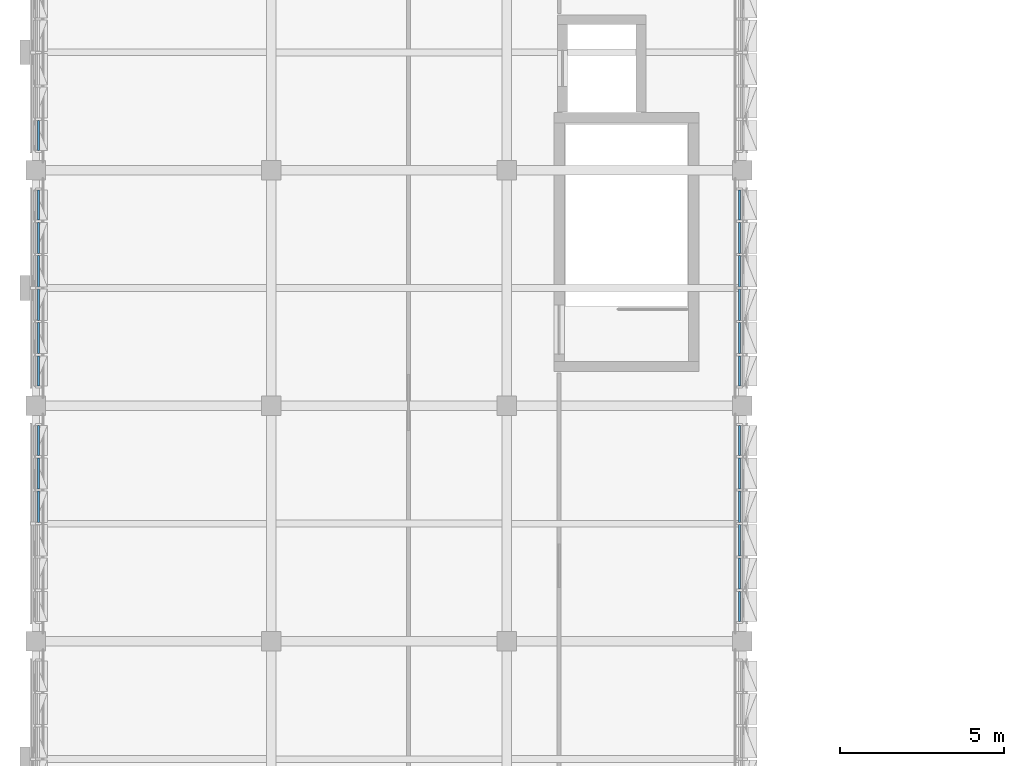
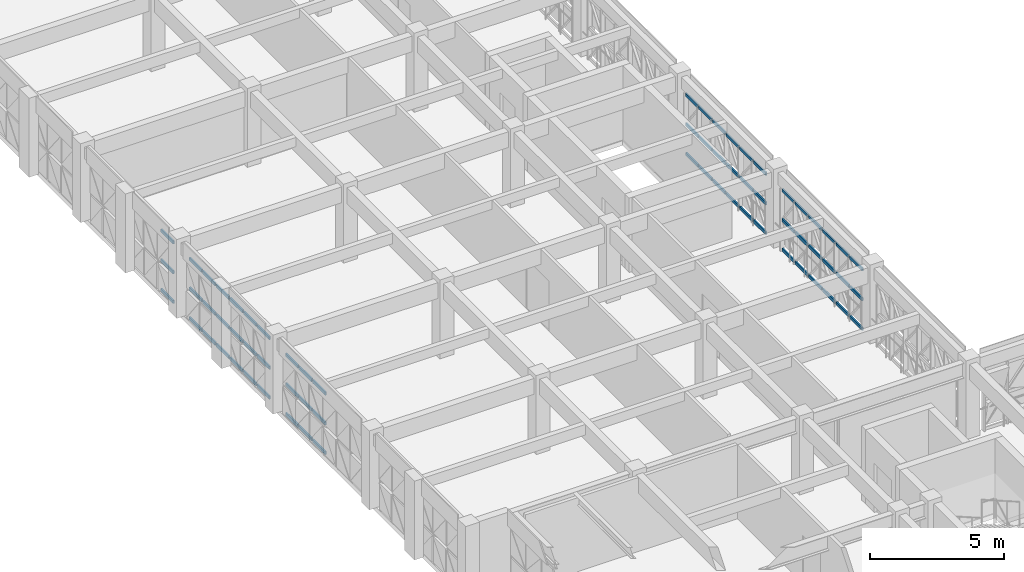
# One storey, part 21 of 74: 66 members, 5 elements without a shape of their own.
"""IFC4 building model written with IfcOpenShell, lengths in metres."""

from ifc_helpers import new_model, si_unit, direction, frame, origin, origin_2d, place, context, subcontext, project, spatial, rectangle, extrude, material, material_profile, profile_set, type_object, element, aggregate, save


model = new_model("IFC4")

# Units and contexts
model_context = context("Model", 3, precision=1e-05, world=origin(), true_north=direction((0.0, 1.0)))
body_context = subcontext(model_context, "Body", "Model", "MODEL_VIEW")
ifc_project = project(units=[si_unit("LENGTHUNIT", "METRE"), si_unit("AREAUNIT", "SQUARE_METRE"), si_unit("VOLUMEUNIT", "CUBIC_METRE"), si_unit("PLANEANGLEUNIT", "RADIAN"), si_unit("MASSUNIT", "GRAM", prefix="KILO")], contexts=[model_context])

# Site, building, storey
site_placement = place(None, origin())
site = spatial("IfcSite", under=ifc_project, at=site_placement, CompositionType="ELEMENT")
building_placement = place(site_placement, origin())
building = spatial("IfcBuilding", under=site, at=building_placement, Name="Alvorim Cloister Faculty of Sciences", CompositionType="ELEMENT")
storey_placement = place(building_placement, frame((0.0, 0.0, 15.75)))
storey = spatial("IfcBuildingStorey", under=building, at=storey_placement, Name="L04", CompositionType="ELEMENT", Elevation=15.75)

# Curtain wall, members
ifc_material_1 = material(Name="Aluminium and Low-E Glass Curtain Wall", Category="aluminium")
curtain_wall_type = type_object("IfcCurtainWallType", Name="CW-TRI-6120x2850", PredefinedType="USERDEFINED", material=ifc_material_1)
curtain_wall_1_placement = place(storey_placement, origin())
curtain_wall_1 = element("IfcCurtainWall", 1, at=curtain_wall_1_placement, inside=storey, type_object=curtain_wall_type, Name="L04 Diagonal Cassette Curtain Wall CW-0171", ObjectType="UNITISED CURTAIN WALL", PredefinedType="USERDEFINED")
ifc_material_2 = material(Name="Aluminium Alloy 6063-T6", Category="aluminium")
ifc_material_profile = material_profile(ifc_material_2, rectangle(XDim=0.06494140625, YDim=0.139892578125, at=origin_2d()), Name="ALU-TRN-65x140")
ifc_profile_set = profile_set([ifc_material_profile], Name="Aluminium Alloy 6063-T6")
member_type = type_object("IfcMemberType", Name="CW-TRN-65x140", PredefinedType="USERDEFINED", material=ifc_profile_set)
member_1_placement = place(storey_placement, frame((0.090087890625, 67.232421875, 0.070068359375), z_axis=(0.0, 1.0, 0.0), x_axis=(-1.0, 0.0, 0.0)))
member_1 = element("IfcMember", 2, at=member_1_placement, type_object=member_type, Name="CW-0171 Transom 4.1", ObjectType="TRANSOM", PredefinedType="USERDEFINED", context=body_context, shape_type="SweptSolid", body=[
    extrude(rectangle(XDim=0.06494140625, YDim=0.139892578125, at=origin_2d()), origin(), (0.0, 0.0, 1.0), 0.955078125),
])
member_2_placement = place(storey_placement, frame((0.090087890625, 67.232421875, 1.425048828125), z_axis=(0.0, 1.0, 0.0), x_axis=(-1.0, 0.0, 0.0)))
member_2 = element("IfcMember", 3, at=member_2_placement, type_object=member_type, Name="CW-0171 Transom 4.2", ObjectType="TRANSOM", PredefinedType="USERDEFINED", context=body_context, shape_type="SweptSolid", body=[
    extrude(rectangle(XDim=0.06494140625, YDim=0.139892578125, at=origin_2d()), origin(), (0.0, 0.0, 1.0), 0.955078125),
])
member_3_placement = place(storey_placement, frame((0.090087890625, 67.232421875, 2.780029296875), z_axis=(0.0, 1.0, 0.0), x_axis=(-1.0, 0.0, 0.0)))
member_3 = element("IfcMember", 4, at=member_3_placement, type_object=member_type, Name="CW-0171 Transom 4.3", ObjectType="TRANSOM", PredefinedType="USERDEFINED", context=body_context, shape_type="SweptSolid", body=[
    extrude(rectangle(XDim=0.06494140625, YDim=0.139892578125, at=origin_2d()), origin(), (0.0, 0.0, 1.0), 0.955078125),
])
member_4_placement = place(storey_placement, frame((0.090087890625, 68.25244140625, 0.070068359375), z_axis=(0.0, 1.0, 0.0), x_axis=(-1.0, 0.0, 0.0)))
member_4 = element("IfcMember", 5, at=member_4_placement, type_object=member_type, Name="CW-0171 Transom 5.1", ObjectType="TRANSOM", PredefinedType="USERDEFINED", context=body_context, shape_type="SweptSolid", body=[
    extrude(rectangle(XDim=0.06494140625, YDim=0.139892578125, at=origin_2d()), origin(), (0.0, 0.0, 1.0), 0.955078125),
])
member_5_placement = place(storey_placement, frame((0.090087890625, 68.25244140625, 1.425048828125), z_axis=(0.0, 1.0, 0.0), x_axis=(-1.0, 0.0, 0.0)))
member_5 = element("IfcMember", 6, at=member_5_placement, type_object=member_type, Name="CW-0171 Transom 5.2", ObjectType="TRANSOM", PredefinedType="USERDEFINED", context=body_context, shape_type="SweptSolid", body=[
    extrude(rectangle(XDim=0.06494140625, YDim=0.139892578125, at=origin_2d()), origin(), (0.0, 0.0, 1.0), 0.955078125),
])
member_6_placement = place(storey_placement, frame((0.090087890625, 68.25244140625, 2.780029296875), z_axis=(0.0, 1.0, 0.0), x_axis=(-1.0, 0.0, 0.0)))
member_6 = element("IfcMember", 7, at=member_6_placement, type_object=member_type, Name="CW-0171 Transom 5.3", ObjectType="TRANSOM", PredefinedType="USERDEFINED", context=body_context, shape_type="SweptSolid", body=[
    extrude(rectangle(XDim=0.06494140625, YDim=0.139892578125, at=origin_2d()), origin(), (0.0, 0.0, 1.0), 0.955078125),
])
member_7_placement = place(storey_placement, frame((0.090087890625, 69.2724609375, 0.070068359375), z_axis=(0.0, 1.0, 0.0), x_axis=(-1.0, 0.0, 0.0)))
member_7 = element("IfcMember", 8, at=member_7_placement, type_object=member_type, Name="CW-0171 Transom 6.1", ObjectType="TRANSOM", PredefinedType="USERDEFINED", context=body_context, shape_type="SweptSolid", body=[
    extrude(rectangle(XDim=0.06494140625, YDim=0.139892578125, at=origin_2d()), origin(), (0.0, 0.0, 1.0), 0.922607421875),
])
member_8_placement = place(storey_placement, frame((0.090087890625, 69.2724609375, 1.425048828125), z_axis=(0.0, 1.0, 0.0), x_axis=(-1.0, 0.0, 0.0)))
member_8 = element("IfcMember", 9, at=member_8_placement, type_object=member_type, Name="CW-0171 Transom 6.2", ObjectType="TRANSOM", PredefinedType="USERDEFINED", context=body_context, shape_type="SweptSolid", body=[
    extrude(rectangle(XDim=0.06494140625, YDim=0.139892578125, at=origin_2d()), origin(), (0.0, 0.0, 1.0), 0.922607421875),
])
member_9_placement = place(storey_placement, frame((0.090087890625, 69.2724609375, 2.780029296875), z_axis=(0.0, 1.0, 0.0), x_axis=(-1.0, 0.0, 0.0)))
member_9 = element("IfcMember", 10, at=member_9_placement, type_object=member_type, Name="CW-0171 Transom 6.3", ObjectType="TRANSOM", PredefinedType="USERDEFINED", context=body_context, shape_type="SweptSolid", body=[
    extrude(rectangle(XDim=0.06494140625, YDim=0.139892578125, at=origin_2d()), origin(), (0.0, 0.0, 1.0), 0.922607421875),
])
aggregate(curtain_wall_1, [member_1, member_2, member_3, member_4, member_5, member_6, member_7, member_8, member_9])

curtain_wall_2_placement = place(storey_placement, origin())
curtain_wall_2 = element("IfcCurtainWall", 11, at=curtain_wall_2_placement, inside=storey, type_object=curtain_wall_type, Name="L04 Diagonal Cassette Curtain Wall CW-0172", ObjectType="UNITISED CURTAIN WALL", PredefinedType="USERDEFINED")
member_10_placement = place(storey_placement, frame((0.090087890625, 71.405029296875, 0.070068359375), z_axis=(0.0, 1.0, 0.0), x_axis=(-1.0, 0.0, 0.0)))
member_10 = element("IfcMember", 12, at=member_10_placement, type_object=member_type, Name="CW-0172 Transom 1.1", ObjectType="TRANSOM", PredefinedType="USERDEFINED", context=body_context, shape_type="SweptSolid", body=[
    extrude(rectangle(XDim=0.06494140625, YDim=0.139892578125, at=origin_2d()), origin(), (0.0, 0.0, 1.0), 0.92236328125),
])
member_11_placement = place(storey_placement, frame((0.090087890625, 71.405029296875, 1.425048828125), z_axis=(0.0, 1.0, 0.0), x_axis=(-1.0, 0.0, 0.0)))
member_11 = element("IfcMember", 13, at=member_11_placement, type_object=member_type, Name="CW-0172 Transom 1.2", ObjectType="TRANSOM", PredefinedType="USERDEFINED", context=body_context, shape_type="SweptSolid", body=[
    extrude(rectangle(XDim=0.06494140625, YDim=0.139892578125, at=origin_2d()), origin(), (0.0, 0.0, 1.0), 0.92236328125),
])
member_12_placement = place(storey_placement, frame((0.090087890625, 71.405029296875, 2.780029296875), z_axis=(0.0, 1.0, 0.0), x_axis=(-1.0, 0.0, 0.0)))
member_12 = element("IfcMember", 14, at=member_12_placement, type_object=member_type, Name="CW-0172 Transom 1.3", ObjectType="TRANSOM", PredefinedType="USERDEFINED", context=body_context, shape_type="SweptSolid", body=[
    extrude(rectangle(XDim=0.06494140625, YDim=0.139892578125, at=origin_2d()), origin(), (0.0, 0.0, 1.0), 0.92236328125),
])
member_13_placement = place(storey_placement, frame((0.090087890625, 72.392578125, 0.070068359375), z_axis=(0.0, 1.0, 0.0), x_axis=(-1.0, 0.0, 0.0)))
member_13 = element("IfcMember", 15, at=member_13_placement, type_object=member_type, Name="CW-0172 Transom 2.1", ObjectType="TRANSOM", PredefinedType="USERDEFINED", context=body_context, shape_type="SweptSolid", body=[
    extrude(rectangle(XDim=0.06494140625, YDim=0.139892578125, at=origin_2d()), origin(), (0.0, 0.0, 1.0), 0.954833984375),
])
member_14_placement = place(storey_placement, frame((0.090087890625, 72.392578125, 1.425048828125), z_axis=(0.0, 1.0, 0.0), x_axis=(-1.0, 0.0, 0.0)))
member_14 = element("IfcMember", 16, at=member_14_placement, type_object=member_type, Name="CW-0172 Transom 2.2", ObjectType="TRANSOM", PredefinedType="USERDEFINED", context=body_context, shape_type="SweptSolid", body=[
    extrude(rectangle(XDim=0.06494140625, YDim=0.139892578125, at=origin_2d()), origin(), (0.0, 0.0, 1.0), 0.954833984375),
])
member_15_placement = place(storey_placement, frame((0.090087890625, 72.392578125, 2.780029296875), z_axis=(0.0, 1.0, 0.0), x_axis=(-1.0, 0.0, 0.0)))
member_15 = element("IfcMember", 17, at=member_15_placement, type_object=member_type, Name="CW-0172 Transom 2.3", ObjectType="TRANSOM", PredefinedType="USERDEFINED", context=body_context, shape_type="SweptSolid", body=[
    extrude(rectangle(XDim=0.06494140625, YDim=0.139892578125, at=origin_2d()), origin(), (0.0, 0.0, 1.0), 0.954833984375),
])
member_16_placement = place(storey_placement, frame((0.090087890625, 73.41259765625, 0.070068359375), z_axis=(0.0, 1.0, 0.0), x_axis=(-1.0, 0.0, 0.0)))
member_16 = element("IfcMember", 18, at=member_16_placement, type_object=member_type, Name="CW-0172 Transom 3.1", ObjectType="TRANSOM", PredefinedType="USERDEFINED", context=body_context, shape_type="SweptSolid", body=[
    extrude(rectangle(XDim=0.06494140625, YDim=0.139892578125, at=origin_2d()), origin(), (0.0, 0.0, 1.0), 0.954833984375),
])
member_17_placement = place(storey_placement, frame((0.090087890625, 73.41259765625, 1.425048828125), z_axis=(0.0, 1.0, 0.0), x_axis=(-1.0, 0.0, 0.0)))
member_17 = element("IfcMember", 19, at=member_17_placement, type_object=member_type, Name="CW-0172 Transom 3.2", ObjectType="TRANSOM", PredefinedType="USERDEFINED", context=body_context, shape_type="SweptSolid", body=[
    extrude(rectangle(XDim=0.06494140625, YDim=0.139892578125, at=origin_2d()), origin(), (0.0, 0.0, 1.0), 0.954833984375),
])
member_18_placement = place(storey_placement, frame((0.090087890625, 73.41259765625, 2.780029296875), z_axis=(0.0, 1.0, 0.0), x_axis=(-1.0, 0.0, 0.0)))
member_18 = element("IfcMember", 20, at=member_18_placement, type_object=member_type, Name="CW-0172 Transom 3.3", ObjectType="TRANSOM", PredefinedType="USERDEFINED", context=body_context, shape_type="SweptSolid", body=[
    extrude(rectangle(XDim=0.06494140625, YDim=0.139892578125, at=origin_2d()), origin(), (0.0, 0.0, 1.0), 0.954833984375),
])
member_19_placement = place(storey_placement, frame((0.090087890625, 74.4326171875, 0.070068359375), z_axis=(0.0, 1.0, 0.0), x_axis=(-1.0, 0.0, 0.0)))
member_19 = element("IfcMember", 21, at=member_19_placement, type_object=member_type, Name="CW-0172 Transom 4.1", ObjectType="TRANSOM", PredefinedType="USERDEFINED", context=body_context, shape_type="SweptSolid", body=[
    extrude(rectangle(XDim=0.06494140625, YDim=0.139892578125, at=origin_2d()), origin(), (0.0, 0.0, 1.0), 0.954833984375),
])
member_20_placement = place(storey_placement, frame((0.090087890625, 74.4326171875, 1.425048828125), z_axis=(0.0, 1.0, 0.0), x_axis=(-1.0, 0.0, 0.0)))
member_20 = element("IfcMember", 22, at=member_20_placement, type_object=member_type, Name="CW-0172 Transom 4.2", ObjectType="TRANSOM", PredefinedType="USERDEFINED", context=body_context, shape_type="SweptSolid", body=[
    extrude(rectangle(XDim=0.06494140625, YDim=0.139892578125, at=origin_2d()), origin(), (0.0, 0.0, 1.0), 0.954833984375),
])
member_21_placement = place(storey_placement, frame((0.090087890625, 74.4326171875, 2.780029296875), z_axis=(0.0, 1.0, 0.0), x_axis=(-1.0, 0.0, 0.0)))
member_21 = element("IfcMember", 23, at=member_21_placement, type_object=member_type, Name="CW-0172 Transom 4.3", ObjectType="TRANSOM", PredefinedType="USERDEFINED", context=body_context, shape_type="SweptSolid", body=[
    extrude(rectangle(XDim=0.06494140625, YDim=0.139892578125, at=origin_2d()), origin(), (0.0, 0.0, 1.0), 0.954833984375),
])
member_22_placement = place(storey_placement, frame((0.090087890625, 75.452392578125, 0.070068359375), z_axis=(0.0, 1.0, 0.0), x_axis=(-1.0, 0.0, 0.0)))
member_22 = element("IfcMember", 24, at=member_22_placement, type_object=member_type, Name="CW-0172 Transom 5.1", ObjectType="TRANSOM", PredefinedType="USERDEFINED", context=body_context, shape_type="SweptSolid", body=[
    extrude(rectangle(XDim=0.06494140625, YDim=0.139892578125, at=origin_2d()), origin(), (0.0, 0.0, 1.0), 0.955078125),
])
member_23_placement = place(storey_placement, frame((0.090087890625, 75.452392578125, 1.425048828125), z_axis=(0.0, 1.0, 0.0), x_axis=(-1.0, 0.0, 0.0)))
member_23 = element("IfcMember", 25, at=member_23_placement, type_object=member_type, Name="CW-0172 Transom 5.2", ObjectType="TRANSOM", PredefinedType="USERDEFINED", context=body_context, shape_type="SweptSolid", body=[
    extrude(rectangle(XDim=0.06494140625, YDim=0.139892578125, at=origin_2d()), origin(), (0.0, 0.0, 1.0), 0.955078125),
])
member_24_placement = place(storey_placement, frame((0.090087890625, 75.452392578125, 2.780029296875), z_axis=(0.0, 1.0, 0.0), x_axis=(-1.0, 0.0, 0.0)))
member_24 = element("IfcMember", 26, at=member_24_placement, type_object=member_type, Name="CW-0172 Transom 5.3", ObjectType="TRANSOM", PredefinedType="USERDEFINED", context=body_context, shape_type="SweptSolid", body=[
    extrude(rectangle(XDim=0.06494140625, YDim=0.139892578125, at=origin_2d()), origin(), (0.0, 0.0, 1.0), 0.955078125),
])
member_25_placement = place(storey_placement, frame((0.090087890625, 76.472412109375, 0.070068359375), z_axis=(0.0, 1.0, 0.0), x_axis=(-1.0, 0.0, 0.0)))
member_25 = element("IfcMember", 27, at=member_25_placement, type_object=member_type, Name="CW-0172 Transom 6.1", ObjectType="TRANSOM", PredefinedType="USERDEFINED", context=body_context, shape_type="SweptSolid", body=[
    extrude(rectangle(XDim=0.06494140625, YDim=0.139892578125, at=origin_2d()), origin(), (0.0, 0.0, 1.0), 0.922607421875),
])
member_26_placement = place(storey_placement, frame((0.090087890625, 76.472412109375, 1.425048828125), z_axis=(0.0, 1.0, 0.0), x_axis=(-1.0, 0.0, 0.0)))
member_26 = element("IfcMember", 28, at=member_26_placement, type_object=member_type, Name="CW-0172 Transom 6.2", ObjectType="TRANSOM", PredefinedType="USERDEFINED", context=body_context, shape_type="SweptSolid", body=[
    extrude(rectangle(XDim=0.06494140625, YDim=0.139892578125, at=origin_2d()), origin(), (0.0, 0.0, 1.0), 0.922607421875),
])
member_27_placement = place(storey_placement, frame((0.090087890625, 76.472412109375, 2.780029296875), z_axis=(0.0, 1.0, 0.0), x_axis=(-1.0, 0.0, 0.0)))
member_27 = element("IfcMember", 29, at=member_27_placement, type_object=member_type, Name="CW-0172 Transom 6.3", ObjectType="TRANSOM", PredefinedType="USERDEFINED", context=body_context, shape_type="SweptSolid", body=[
    extrude(rectangle(XDim=0.06494140625, YDim=0.139892578125, at=origin_2d()), origin(), (0.0, 0.0, 1.0), 0.922607421875),
])
aggregate(curtain_wall_2, [member_10, member_11, member_12, member_13, member_14, member_15, member_16, member_17, member_18, member_19, member_20, member_21, member_22, member_23, member_24, member_25, member_26, member_27])

curtain_wall_3_placement = place(storey_placement, origin())
curtain_wall_3 = element("IfcCurtainWall", 30, at=curtain_wall_3_placement, inside=storey, type_object=curtain_wall_type, Name="L04 Diagonal Cassette Curtain Wall CW-0173", ObjectType="UNITISED CURTAIN WALL", PredefinedType="USERDEFINED")
member_28_placement = place(storey_placement, frame((0.090087890625, 78.60498046875, 0.070068359375), z_axis=(0.0, 1.0, 0.0), x_axis=(-1.0, 0.0, 0.0)))
member_28 = element("IfcMember", 31, at=member_28_placement, type_object=member_type, Name="CW-0173 Transom 1.1", ObjectType="TRANSOM", PredefinedType="USERDEFINED", context=body_context, shape_type="SweptSolid", body=[
    extrude(rectangle(XDim=0.06494140625, YDim=0.139892578125, at=origin_2d()), origin(), (0.0, 0.0, 1.0), 0.922607421875),
])
member_29_placement = place(storey_placement, frame((0.090087890625, 78.60498046875, 1.425048828125), z_axis=(0.0, 1.0, 0.0), x_axis=(-1.0, 0.0, 0.0)))
member_29 = element("IfcMember", 32, at=member_29_placement, type_object=member_type, Name="CW-0173 Transom 1.2", ObjectType="TRANSOM", PredefinedType="USERDEFINED", context=body_context, shape_type="SweptSolid", body=[
    extrude(rectangle(XDim=0.06494140625, YDim=0.139892578125, at=origin_2d()), origin(), (0.0, 0.0, 1.0), 0.922607421875),
])
member_30_placement = place(storey_placement, frame((0.090087890625, 78.60498046875, 2.780029296875), z_axis=(0.0, 1.0, 0.0), x_axis=(-1.0, 0.0, 0.0)))
member_30 = element("IfcMember", 33, at=member_30_placement, type_object=member_type, Name="CW-0173 Transom 1.3", ObjectType="TRANSOM", PredefinedType="USERDEFINED", context=body_context, shape_type="SweptSolid", body=[
    extrude(rectangle(XDim=0.06494140625, YDim=0.139892578125, at=origin_2d()), origin(), (0.0, 0.0, 1.0), 0.922607421875),
])
aggregate(curtain_wall_3, [member_28, member_29, member_30])

curtain_wall_4_placement = place(storey_placement, origin())
curtain_wall_4 = element("IfcCurtainWall", 34, at=curtain_wall_4_placement, inside=storey, type_object=curtain_wall_type, Name="L04 Diagonal Cassette Curtain Wall CW-0186", ObjectType="UNITISED CURTAIN WALL", PredefinedType="USERDEFINED")
member_31_placement = place(storey_placement, frame((21.510009765625, 71.405029296875, 0.070068359375), z_axis=(0.0, 1.0, 0.0), x_axis=(-1.0, 0.0, 0.0)))
member_31 = element("IfcMember", 35, at=member_31_placement, type_object=member_type, Name="CW-0186 Transom 1.1", ObjectType="TRANSOM", PredefinedType="USERDEFINED", context=body_context, shape_type="SweptSolid", body=[
    extrude(rectangle(XDim=0.06494140625, YDim=0.139892578125, at=origin_2d()), origin(), (0.0, 0.0, 1.0), 0.92236328125),
])
member_32_placement = place(storey_placement, frame((21.510009765625, 71.405029296875, 1.425048828125), z_axis=(0.0, 1.0, 0.0), x_axis=(-1.0, 0.0, 0.0)))
member_32 = element("IfcMember", 36, at=member_32_placement, type_object=member_type, Name="CW-0186 Transom 1.2", ObjectType="TRANSOM", PredefinedType="USERDEFINED", context=body_context, shape_type="SweptSolid", body=[
    extrude(rectangle(XDim=0.06494140625, YDim=0.139892578125, at=origin_2d()), origin(), (0.0, 0.0, 1.0), 0.92236328125),
])
member_33_placement = place(storey_placement, frame((21.510009765625, 71.405029296875, 2.780029296875), z_axis=(0.0, 1.0, 0.0), x_axis=(-1.0, 0.0, 0.0)))
member_33 = element("IfcMember", 37, at=member_33_placement, type_object=member_type, Name="CW-0186 Transom 1.3", ObjectType="TRANSOM", PredefinedType="USERDEFINED", context=body_context, shape_type="SweptSolid", body=[
    extrude(rectangle(XDim=0.06494140625, YDim=0.139892578125, at=origin_2d()), origin(), (0.0, 0.0, 1.0), 0.92236328125),
])
member_34_placement = place(storey_placement, frame((21.510009765625, 72.392578125, 0.070068359375), z_axis=(0.0, 1.0, 0.0), x_axis=(-1.0, 0.0, 0.0)))
member_34 = element("IfcMember", 38, at=member_34_placement, type_object=member_type, Name="CW-0186 Transom 2.1", ObjectType="TRANSOM", PredefinedType="USERDEFINED", context=body_context, shape_type="SweptSolid", body=[
    extrude(rectangle(XDim=0.06494140625, YDim=0.139892578125, at=origin_2d()), origin(), (0.0, 0.0, 1.0), 0.954833984375),
])
member_35_placement = place(storey_placement, frame((21.510009765625, 72.392578125, 1.425048828125), z_axis=(0.0, 1.0, 0.0), x_axis=(-1.0, 0.0, 0.0)))
member_35 = element("IfcMember", 39, at=member_35_placement, type_object=member_type, Name="CW-0186 Transom 2.2", ObjectType="TRANSOM", PredefinedType="USERDEFINED", context=body_context, shape_type="SweptSolid", body=[
    extrude(rectangle(XDim=0.06494140625, YDim=0.139892578125, at=origin_2d()), origin(), (0.0, 0.0, 1.0), 0.954833984375),
])
member_36_placement = place(storey_placement, frame((21.510009765625, 72.392578125, 2.780029296875), z_axis=(0.0, 1.0, 0.0), x_axis=(-1.0, 0.0, 0.0)))
member_36 = element("IfcMember", 40, at=member_36_placement, type_object=member_type, Name="CW-0186 Transom 2.3", ObjectType="TRANSOM", PredefinedType="USERDEFINED", context=body_context, shape_type="SweptSolid", body=[
    extrude(rectangle(XDim=0.06494140625, YDim=0.139892578125, at=origin_2d()), origin(), (0.0, 0.0, 1.0), 0.954833984375),
])
member_37_placement = place(storey_placement, frame((21.510009765625, 73.41259765625, 0.070068359375), z_axis=(0.0, 1.0, 0.0), x_axis=(-1.0, 0.0, 0.0)))
member_37 = element("IfcMember", 41, at=member_37_placement, type_object=member_type, Name="CW-0186 Transom 3.1", ObjectType="TRANSOM", PredefinedType="USERDEFINED", context=body_context, shape_type="SweptSolid", body=[
    extrude(rectangle(XDim=0.06494140625, YDim=0.139892578125, at=origin_2d()), origin(), (0.0, 0.0, 1.0), 0.954833984375),
])
member_38_placement = place(storey_placement, frame((21.510009765625, 73.41259765625, 1.425048828125), z_axis=(0.0, 1.0, 0.0), x_axis=(-1.0, 0.0, 0.0)))
member_38 = element("IfcMember", 42, at=member_38_placement, type_object=member_type, Name="CW-0186 Transom 3.2", ObjectType="TRANSOM", PredefinedType="USERDEFINED", context=body_context, shape_type="SweptSolid", body=[
    extrude(rectangle(XDim=0.06494140625, YDim=0.139892578125, at=origin_2d()), origin(), (0.0, 0.0, 1.0), 0.954833984375),
])
member_39_placement = place(storey_placement, frame((21.510009765625, 73.41259765625, 2.780029296875), z_axis=(0.0, 1.0, 0.0), x_axis=(-1.0, 0.0, 0.0)))
member_39 = element("IfcMember", 43, at=member_39_placement, type_object=member_type, Name="CW-0186 Transom 3.3", ObjectType="TRANSOM", PredefinedType="USERDEFINED", context=body_context, shape_type="SweptSolid", body=[
    extrude(rectangle(XDim=0.06494140625, YDim=0.139892578125, at=origin_2d()), origin(), (0.0, 0.0, 1.0), 0.954833984375),
])
member_40_placement = place(storey_placement, frame((21.510009765625, 74.4326171875, 0.070068359375), z_axis=(0.0, 1.0, 0.0), x_axis=(-1.0, 0.0, 0.0)))
member_40 = element("IfcMember", 44, at=member_40_placement, type_object=member_type, Name="CW-0186 Transom 4.1", ObjectType="TRANSOM", PredefinedType="USERDEFINED", context=body_context, shape_type="SweptSolid", body=[
    extrude(rectangle(XDim=0.06494140625, YDim=0.139892578125, at=origin_2d()), origin(), (0.0, 0.0, 1.0), 0.954833984375),
])
member_41_placement = place(storey_placement, frame((21.510009765625, 74.4326171875, 1.425048828125), z_axis=(0.0, 1.0, 0.0), x_axis=(-1.0, 0.0, 0.0)))
member_41 = element("IfcMember", 45, at=member_41_placement, type_object=member_type, Name="CW-0186 Transom 4.2", ObjectType="TRANSOM", PredefinedType="USERDEFINED", context=body_context, shape_type="SweptSolid", body=[
    extrude(rectangle(XDim=0.06494140625, YDim=0.139892578125, at=origin_2d()), origin(), (0.0, 0.0, 1.0), 0.954833984375),
])
member_42_placement = place(storey_placement, frame((21.510009765625, 74.4326171875, 2.780029296875), z_axis=(0.0, 1.0, 0.0), x_axis=(-1.0, 0.0, 0.0)))
member_42 = element("IfcMember", 46, at=member_42_placement, type_object=member_type, Name="CW-0186 Transom 4.3", ObjectType="TRANSOM", PredefinedType="USERDEFINED", context=body_context, shape_type="SweptSolid", body=[
    extrude(rectangle(XDim=0.06494140625, YDim=0.139892578125, at=origin_2d()), origin(), (0.0, 0.0, 1.0), 0.954833984375),
])
member_43_placement = place(storey_placement, frame((21.510009765625, 75.452392578125, 0.070068359375), z_axis=(0.0, 1.0, 0.0), x_axis=(-1.0, 0.0, 0.0)))
member_43 = element("IfcMember", 47, at=member_43_placement, type_object=member_type, Name="CW-0186 Transom 5.1", ObjectType="TRANSOM", PredefinedType="USERDEFINED", context=body_context, shape_type="SweptSolid", body=[
    extrude(rectangle(XDim=0.06494140625, YDim=0.139892578125, at=origin_2d()), origin(), (0.0, 0.0, 1.0), 0.955078125),
])
member_44_placement = place(storey_placement, frame((21.510009765625, 75.452392578125, 1.425048828125), z_axis=(0.0, 1.0, 0.0), x_axis=(-1.0, 0.0, 0.0)))
member_44 = element("IfcMember", 48, at=member_44_placement, type_object=member_type, Name="CW-0186 Transom 5.2", ObjectType="TRANSOM", PredefinedType="USERDEFINED", context=body_context, shape_type="SweptSolid", body=[
    extrude(rectangle(XDim=0.06494140625, YDim=0.139892578125, at=origin_2d()), origin(), (0.0, 0.0, 1.0), 0.955078125),
])
member_45_placement = place(storey_placement, frame((21.510009765625, 75.452392578125, 2.780029296875), z_axis=(0.0, 1.0, 0.0), x_axis=(-1.0, 0.0, 0.0)))
member_45 = element("IfcMember", 49, at=member_45_placement, type_object=member_type, Name="CW-0186 Transom 5.3", ObjectType="TRANSOM", PredefinedType="USERDEFINED", context=body_context, shape_type="SweptSolid", body=[
    extrude(rectangle(XDim=0.06494140625, YDim=0.139892578125, at=origin_2d()), origin(), (0.0, 0.0, 1.0), 0.955078125),
])
member_46_placement = place(storey_placement, frame((21.510009765625, 76.472412109375, 0.070068359375), z_axis=(0.0, 1.0, 0.0), x_axis=(-1.0, 0.0, 0.0)))
member_46 = element("IfcMember", 50, at=member_46_placement, type_object=member_type, Name="CW-0186 Transom 6.1", ObjectType="TRANSOM", PredefinedType="USERDEFINED", context=body_context, shape_type="SweptSolid", body=[
    extrude(rectangle(XDim=0.06494140625, YDim=0.139892578125, at=origin_2d()), origin(), (0.0, 0.0, 1.0), 0.922607421875),
])
member_47_placement = place(storey_placement, frame((21.510009765625, 76.472412109375, 1.425048828125), z_axis=(0.0, 1.0, 0.0), x_axis=(-1.0, 0.0, 0.0)))
member_47 = element("IfcMember", 51, at=member_47_placement, type_object=member_type, Name="CW-0186 Transom 6.2", ObjectType="TRANSOM", PredefinedType="USERDEFINED", context=body_context, shape_type="SweptSolid", body=[
    extrude(rectangle(XDim=0.06494140625, YDim=0.139892578125, at=origin_2d()), origin(), (0.0, 0.0, 1.0), 0.922607421875),
])
member_48_placement = place(storey_placement, frame((21.510009765625, 76.472412109375, 2.780029296875), z_axis=(0.0, 1.0, 0.0), x_axis=(-1.0, 0.0, 0.0)))
member_48 = element("IfcMember", 52, at=member_48_placement, type_object=member_type, Name="CW-0186 Transom 6.3", ObjectType="TRANSOM", PredefinedType="USERDEFINED", context=body_context, shape_type="SweptSolid", body=[
    extrude(rectangle(XDim=0.06494140625, YDim=0.139892578125, at=origin_2d()), origin(), (0.0, 0.0, 1.0), 0.922607421875),
])
aggregate(curtain_wall_4, [member_31, member_32, member_33, member_34, member_35, member_36, member_37, member_38, member_39, member_40, member_41, member_42, member_43, member_44, member_45, member_46, member_47, member_48])

curtain_wall_5_placement = place(storey_placement, origin())
curtain_wall_5 = element("IfcCurtainWall", 53, at=curtain_wall_5_placement, inside=storey, type_object=curtain_wall_type, Name="L04 Diagonal Cassette Curtain Wall CW-0187", ObjectType="UNITISED CURTAIN WALL", PredefinedType="USERDEFINED")
member_49_placement = place(storey_placement, frame((21.510009765625, 64.205078125, 0.070068359375), z_axis=(0.0, 1.0, 0.0), x_axis=(-1.0, 0.0, 0.0)))
member_49 = element("IfcMember", 54, at=member_49_placement, type_object=member_type, Name="CW-0187 Transom 1.1", ObjectType="TRANSOM", PredefinedType="USERDEFINED", context=body_context, shape_type="SweptSolid", body=[
    extrude(rectangle(XDim=0.06494140625, YDim=0.139892578125, at=origin_2d()), origin(), (0.0, 0.0, 1.0), 0.92236328125),
])
member_50_placement = place(storey_placement, frame((21.510009765625, 64.205078125, 1.425048828125), z_axis=(0.0, 1.0, 0.0), x_axis=(-1.0, 0.0, 0.0)))
member_50 = element("IfcMember", 55, at=member_50_placement, type_object=member_type, Name="CW-0187 Transom 1.2", ObjectType="TRANSOM", PredefinedType="USERDEFINED", context=body_context, shape_type="SweptSolid", body=[
    extrude(rectangle(XDim=0.06494140625, YDim=0.139892578125, at=origin_2d()), origin(), (0.0, 0.0, 1.0), 0.92236328125),
])
member_51_placement = place(storey_placement, frame((21.510009765625, 64.205078125, 2.780029296875), z_axis=(0.0, 1.0, 0.0), x_axis=(-1.0, 0.0, 0.0)))
member_51 = element("IfcMember", 56, at=member_51_placement, type_object=member_type, Name="CW-0187 Transom 1.3", ObjectType="TRANSOM", PredefinedType="USERDEFINED", context=body_context, shape_type="SweptSolid", body=[
    extrude(rectangle(XDim=0.06494140625, YDim=0.139892578125, at=origin_2d()), origin(), (0.0, 0.0, 1.0), 0.92236328125),
])
member_52_placement = place(storey_placement, frame((21.510009765625, 65.1923828125, 0.070068359375), z_axis=(0.0, 1.0, 0.0), x_axis=(-1.0, 0.0, 0.0)))
member_52 = element("IfcMember", 57, at=member_52_placement, type_object=member_type, Name="CW-0187 Transom 2.1", ObjectType="TRANSOM", PredefinedType="USERDEFINED", context=body_context, shape_type="SweptSolid", body=[
    extrude(rectangle(XDim=0.06494140625, YDim=0.139892578125, at=origin_2d()), origin(), (0.0, 0.0, 1.0), 0.955078125),
])
member_53_placement = place(storey_placement, frame((21.510009765625, 65.1923828125, 1.425048828125), z_axis=(0.0, 1.0, 0.0), x_axis=(-1.0, 0.0, 0.0)))
member_53 = element("IfcMember", 58, at=member_53_placement, type_object=member_type, Name="CW-0187 Transom 2.2", ObjectType="TRANSOM", PredefinedType="USERDEFINED", context=body_context, shape_type="SweptSolid", body=[
    extrude(rectangle(XDim=0.06494140625, YDim=0.139892578125, at=origin_2d()), origin(), (0.0, 0.0, 1.0), 0.955078125),
])
member_54_placement = place(storey_placement, frame((21.510009765625, 65.1923828125, 2.780029296875), z_axis=(0.0, 1.0, 0.0), x_axis=(-1.0, 0.0, 0.0)))
member_54 = element("IfcMember", 59, at=member_54_placement, type_object=member_type, Name="CW-0187 Transom 2.3", ObjectType="TRANSOM", PredefinedType="USERDEFINED", context=body_context, shape_type="SweptSolid", body=[
    extrude(rectangle(XDim=0.06494140625, YDim=0.139892578125, at=origin_2d()), origin(), (0.0, 0.0, 1.0), 0.955078125),
])
member_55_placement = place(storey_placement, frame((21.510009765625, 66.21240234375, 0.070068359375), z_axis=(0.0, 1.0, 0.0), x_axis=(-1.0, 0.0, 0.0)))
member_55 = element("IfcMember", 60, at=member_55_placement, type_object=member_type, Name="CW-0187 Transom 3.1", ObjectType="TRANSOM", PredefinedType="USERDEFINED", context=body_context, shape_type="SweptSolid", body=[
    extrude(rectangle(XDim=0.06494140625, YDim=0.139892578125, at=origin_2d()), origin(), (0.0, 0.0, 1.0), 0.955078125),
])
member_56_placement = place(storey_placement, frame((21.510009765625, 66.21240234375, 1.425048828125), z_axis=(0.0, 1.0, 0.0), x_axis=(-1.0, 0.0, 0.0)))
member_56 = element("IfcMember", 61, at=member_56_placement, type_object=member_type, Name="CW-0187 Transom 3.2", ObjectType="TRANSOM", PredefinedType="USERDEFINED", context=body_context, shape_type="SweptSolid", body=[
    extrude(rectangle(XDim=0.06494140625, YDim=0.139892578125, at=origin_2d()), origin(), (0.0, 0.0, 1.0), 0.955078125),
])
member_57_placement = place(storey_placement, frame((21.510009765625, 66.21240234375, 2.780029296875), z_axis=(0.0, 1.0, 0.0), x_axis=(-1.0, 0.0, 0.0)))
member_57 = element("IfcMember", 62, at=member_57_placement, type_object=member_type, Name="CW-0187 Transom 3.3", ObjectType="TRANSOM", PredefinedType="USERDEFINED", context=body_context, shape_type="SweptSolid", body=[
    extrude(rectangle(XDim=0.06494140625, YDim=0.139892578125, at=origin_2d()), origin(), (0.0, 0.0, 1.0), 0.955078125),
])
member_58_placement = place(storey_placement, frame((21.510009765625, 67.232421875, 0.070068359375), z_axis=(0.0, 1.0, 0.0), x_axis=(-1.0, 0.0, 0.0)))
member_58 = element("IfcMember", 63, at=member_58_placement, type_object=member_type, Name="CW-0187 Transom 4.1", ObjectType="TRANSOM", PredefinedType="USERDEFINED", context=body_context, shape_type="SweptSolid", body=[
    extrude(rectangle(XDim=0.06494140625, YDim=0.139892578125, at=origin_2d()), origin(), (0.0, 0.0, 1.0), 0.955078125),
])
member_59_placement = place(storey_placement, frame((21.510009765625, 67.232421875, 1.425048828125), z_axis=(0.0, 1.0, 0.0), x_axis=(-1.0, 0.0, 0.0)))
member_59 = element("IfcMember", 64, at=member_59_placement, type_object=member_type, Name="CW-0187 Transom 4.2", ObjectType="TRANSOM", PredefinedType="USERDEFINED", context=body_context, shape_type="SweptSolid", body=[
    extrude(rectangle(XDim=0.06494140625, YDim=0.139892578125, at=origin_2d()), origin(), (0.0, 0.0, 1.0), 0.955078125),
])
member_60_placement = place(storey_placement, frame((21.510009765625, 67.232421875, 2.780029296875), z_axis=(0.0, 1.0, 0.0), x_axis=(-1.0, 0.0, 0.0)))
member_60 = element("IfcMember", 65, at=member_60_placement, type_object=member_type, Name="CW-0187 Transom 4.3", ObjectType="TRANSOM", PredefinedType="USERDEFINED", context=body_context, shape_type="SweptSolid", body=[
    extrude(rectangle(XDim=0.06494140625, YDim=0.139892578125, at=origin_2d()), origin(), (0.0, 0.0, 1.0), 0.955078125),
])
member_61_placement = place(storey_placement, frame((21.510009765625, 68.25244140625, 0.070068359375), z_axis=(0.0, 1.0, 0.0), x_axis=(-1.0, 0.0, 0.0)))
member_61 = element("IfcMember", 66, at=member_61_placement, type_object=member_type, Name="CW-0187 Transom 5.1", ObjectType="TRANSOM", PredefinedType="USERDEFINED", context=body_context, shape_type="SweptSolid", body=[
    extrude(rectangle(XDim=0.06494140625, YDim=0.139892578125, at=origin_2d()), origin(), (0.0, 0.0, 1.0), 0.955078125),
])
member_62_placement = place(storey_placement, frame((21.510009765625, 68.25244140625, 1.425048828125), z_axis=(0.0, 1.0, 0.0), x_axis=(-1.0, 0.0, 0.0)))
member_62 = element("IfcMember", 67, at=member_62_placement, type_object=member_type, Name="CW-0187 Transom 5.2", ObjectType="TRANSOM", PredefinedType="USERDEFINED", context=body_context, shape_type="SweptSolid", body=[
    extrude(rectangle(XDim=0.06494140625, YDim=0.139892578125, at=origin_2d()), origin(), (0.0, 0.0, 1.0), 0.955078125),
])
member_63_placement = place(storey_placement, frame((21.510009765625, 68.25244140625, 2.780029296875), z_axis=(0.0, 1.0, 0.0), x_axis=(-1.0, 0.0, 0.0)))
member_63 = element("IfcMember", 68, at=member_63_placement, type_object=member_type, Name="CW-0187 Transom 5.3", ObjectType="TRANSOM", PredefinedType="USERDEFINED", context=body_context, shape_type="SweptSolid", body=[
    extrude(rectangle(XDim=0.06494140625, YDim=0.139892578125, at=origin_2d()), origin(), (0.0, 0.0, 1.0), 0.955078125),
])
member_64_placement = place(storey_placement, frame((21.510009765625, 69.2724609375, 0.070068359375), z_axis=(0.0, 1.0, 0.0), x_axis=(-1.0, 0.0, 0.0)))
member_64 = element("IfcMember", 69, at=member_64_placement, type_object=member_type, Name="CW-0187 Transom 6.1", ObjectType="TRANSOM", PredefinedType="USERDEFINED", context=body_context, shape_type="SweptSolid", body=[
    extrude(rectangle(XDim=0.06494140625, YDim=0.139892578125, at=origin_2d()), origin(), (0.0, 0.0, 1.0), 0.922607421875),
])
member_65_placement = place(storey_placement, frame((21.510009765625, 69.2724609375, 1.425048828125), z_axis=(0.0, 1.0, 0.0), x_axis=(-1.0, 0.0, 0.0)))
member_65 = element("IfcMember", 70, at=member_65_placement, type_object=member_type, Name="CW-0187 Transom 6.2", ObjectType="TRANSOM", PredefinedType="USERDEFINED", context=body_context, shape_type="SweptSolid", body=[
    extrude(rectangle(XDim=0.06494140625, YDim=0.139892578125, at=origin_2d()), origin(), (0.0, 0.0, 1.0), 0.922607421875),
])
member_66_placement = place(storey_placement, frame((21.510009765625, 69.2724609375, 2.780029296875), z_axis=(0.0, 1.0, 0.0), x_axis=(-1.0, 0.0, 0.0)))
member_66 = element("IfcMember", 71, at=member_66_placement, type_object=member_type, Name="CW-0187 Transom 6.3", ObjectType="TRANSOM", PredefinedType="USERDEFINED", context=body_context, shape_type="SweptSolid", body=[
    extrude(rectangle(XDim=0.06494140625, YDim=0.139892578125, at=origin_2d()), origin(), (0.0, 0.0, 1.0), 0.922607421875),
])
aggregate(curtain_wall_5, [member_49, member_50, member_51, member_52, member_53, member_54, member_55, member_56, member_57, member_58, member_59, member_60, member_61, member_62, member_63, member_64, member_65, member_66])

save(model, "model.ifc")
